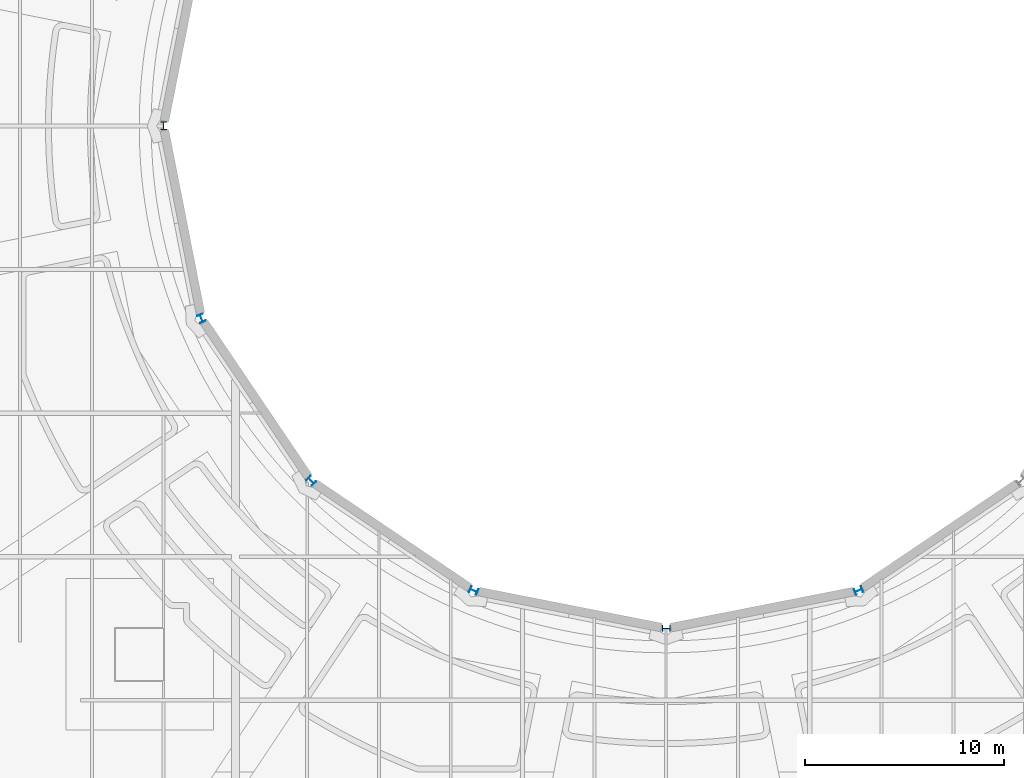
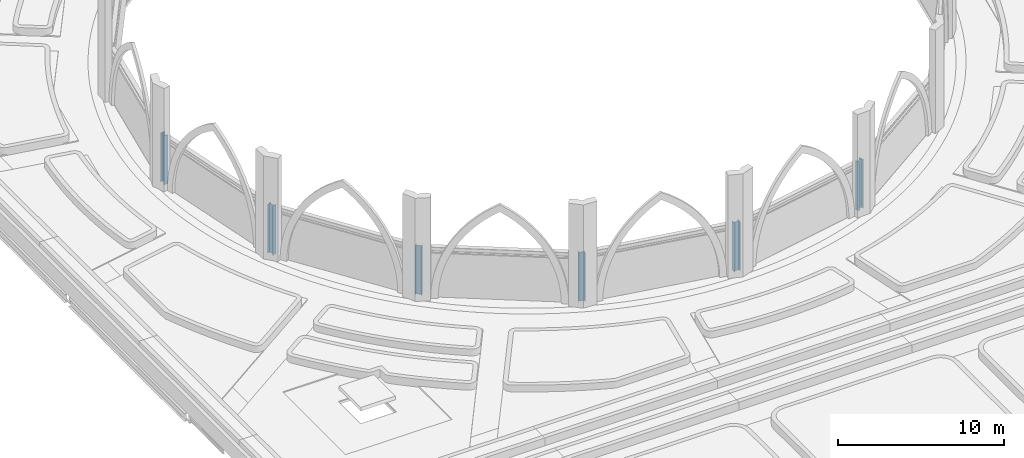
# One storey, part 1 of 110: 6 columns.
"""IFC4 building model written with IfcOpenShell, lengths in metres."""

import ifcopenshell
import ifcopenshell.guid

model = None  # the IFC model being written
_history = None  # IfcOwnerHistory: only IFC2X3 demands one
_inside = {}  # id of a spatial element -> (the spatial element, [elements in it])
_under = {}  # id of a project, library or spatial element -> (it, [spatial elements below it])
_declared = {}  # id of a project -> (the project, [libraries it declares])
_typed = {}  # id of a type object -> (the type object, [elements of that type])
_made_of = {}  # id of a material, layer set ... -> (it, [elements and type objects made of it])


def new_model(schema):
    """Start an empty IFC model of exactly this schema.

    Asked for "IFC4X3", IfcOpenShell would pick the latest addendum, in which some entities
    have other attributes; the version numbers below select the first issue.
    IFC2X3 requires an IfcOwnerHistory on every rooted entity: one is made here for all.
    """
    global model, _history
    if schema == "IFC4X3":
        model = ifcopenshell.file(schema_version=(4, 3, 0, 0))
    else:
        model = ifcopenshell.file(schema=schema)
    _inside.clear()
    _under.clear()
    _declared.clear()
    _typed.clear()
    _made_of.clear()
    _history = None
    if model.schema == "IFC2X3":
        org = make("IfcOrganization", Name="unknown")
        user = make(
            "IfcPersonAndOrganization",
            ThePerson=make("IfcPerson", FamilyName="unknown"),
            TheOrganization=org,
        )
        app = make(
            "IfcApplication",
            ApplicationDeveloper=org,
            Version="unknown",
            ApplicationFullName="unknown",
            ApplicationIdentifier="unknown",
        )
        _history = make(
            "IfcOwnerHistory",
            OwningUser=user,
            OwningApplication=app,
            ChangeAction="ADDED",
            CreationDate=0,
        )
    return model


def make(cls, **values):
    """One entity of the class cls with the attributes given. An attribute that is None is left unset."""
    return model.create_entity(
        cls, **{name: value for name, value in values.items() if value is not None}
    )


def rooted(cls, **values):
    """An entity with a GlobalId (a new one), such as an element, a storey or a relation."""
    return make(cls, GlobalId=ifcopenshell.guid.new(), OwnerHistory=_history, **values)


def si_unit(unit_type, name, prefix=None):
    """IfcSIUnit, for example si_unit("LENGTHUNIT", "METRE", prefix="MILLI")."""
    return make("IfcSIUnit", UnitType=unit_type, Prefix=prefix, Name=name)


def assignment(units):
    """IfcUnitAssignment: the units of a project."""
    return None if units is None else make("IfcUnitAssignment", Units=units)


def point(xyz):
    """IfcCartesianPoint."""
    return None if xyz is None else make("IfcCartesianPoint", Coordinates=xyz)


def direction(xyz):
    """IfcDirection."""
    return None if xyz is None else make("IfcDirection", DirectionRatios=xyz)


def frame(location, z_axis=None, x_axis=None):
    """IfcAxis2Placement3D, a coordinate frame: its origin and axes. An axis left out is left unset."""
    return make(
        "IfcAxis2Placement3D",
        Location=point(location),
        Axis=direction(z_axis),
        RefDirection=direction(x_axis),
    )


def frame_2d(location, x_axis=None):
    """IfcAxis2Placement2D, a coordinate frame in the plane: its origin and x axis."""
    return make(
        "IfcAxis2Placement2D", Location=point(location), RefDirection=direction(x_axis)
    )


def origin():
    """The frame at (0, 0, 0) with its axes left unset."""
    return frame((0.0, 0.0, 0.0))


def origin_2d():
    """The frame at (0, 0) in the plane with its x axis left unset."""
    return frame_2d((0.0, 0.0))


def place(relative_to, where):
    """IfcLocalPlacement: puts the frame where relative to a parent placement (None: the world)."""
    return make(
        "IfcLocalPlacement", PlacementRelTo=relative_to, RelativePlacement=where
    )


def context(
    kind, dimensions, precision=None, world=None, true_north=None, identifier=None
):
    """IfcGeometricRepresentationContext, for example the 3D "Model" context."""
    return make(
        "IfcGeometricRepresentationContext",
        ContextIdentifier=identifier,
        ContextType=kind,
        CoordinateSpaceDimension=dimensions,
        Precision=precision,
        WorldCoordinateSystem=world,
        TrueNorth=true_north,
    )


def subcontext(parent, identifier, kind, view, scale=None):
    """IfcGeometricRepresentationSubContext, for example "Body" below "Model"."""
    return make(
        "IfcGeometricRepresentationSubContext",
        ContextIdentifier=identifier,
        ContextType=kind,
        ParentContext=parent,
        TargetScale=scale,
        TargetView=view,
    )


def project(units=None, contexts=None):
    """IfcProject with its units and contexts."""
    return rooted(
        "IfcProject",
        Name="project",
        RepresentationContexts=contexts,
        UnitsInContext=assignment(units),
    )


def spatial(cls, under=None, at=None, **own):
    """A site, building, storey or space (cls), placed at a placement, below another one or the project."""
    s = rooted(cls, ObjectPlacement=at, **own)
    if under is not None:
        _under.setdefault(under.id(), (under, []))[1].append(s)
    return s


def profile(cls, at=None, kind="AREA", **sizes):
    """A parametric profile (cls). Its sizes go by their IFC names, for example OverallWidth=200.0."""
    return make(cls, ProfileType=kind, Position=at, **sizes)


def i_section(**sizes):
    """IfcIShapeProfileDef."""
    return profile("IfcIShapeProfileDef", **sizes)


def extrude(swept, where, along, depth):
    """IfcExtrudedAreaSolid: the profile swept, set in the frame where, extruded along a direction by depth."""
    return make(
        "IfcExtrudedAreaSolid",
        SweptArea=swept,
        Position=where,
        ExtrudedDirection=direction(along),
        Depth=depth,
    )


def shape(context_of_items, identifier, shape_type, items):
    """IfcShapeRepresentation: the items that make up one representation, for example the "Body"."""
    return make(
        "IfcShapeRepresentation",
        ContextOfItems=context_of_items,
        RepresentationIdentifier=identifier,
        RepresentationType=shape_type,
        Items=items,
    )


def material(Name=None, Category=None):
    """IfcMaterial."""
    return make("IfcMaterial", Name=Name, Category=Category)


def material_profile(
    of_material, cross_section, Name=None, Category=None, Priority=None
):
    """IfcMaterialProfile: a cross section and its material."""
    return make(
        "IfcMaterialProfile",
        Name=Name,
        Material=of_material,
        Profile=cross_section,
        Priority=Priority,
        Category=Category,
    )


def profile_set(profiles, Name=None, composite=None):
    """IfcMaterialProfileSet."""
    return make(
        "IfcMaterialProfileSet",
        Name=Name,
        MaterialProfiles=profiles,
        CompositeProfile=composite,
    )


def made_of(thing, what):
    """Note that an element or type object is made of a material, layer set ...; save() writes the relation."""
    if what is not None:
        _made_of.setdefault(what.id(), (what, []))[1].append(thing)
    return thing


def type_object(cls, material=None, **own):
    """A type object (cls), such as IfcWallType, which elements share."""
    return made_of(rooted(cls, **own), material)


def element(
    cls,
    number,
    at=None,
    inside=None,
    cuts=None,
    type_object=None,
    material=None,
    context=None,
    identifier="Body",
    shape_type=None,
    held_by="IfcProductDefinitionShape",
    body=None,
    shapes=None,
    **own,
):
    """One element of the class cls, such as IfcWall. Its Tag is "e" and its number.

    at: its placement. inside: the storey or other place that contains it. cuts: it is an
    opening in that element (IfcRelVoidsElement). A single representation is given by context,
    identifier, shape_type and body (its items); several are given by shapes. held_by: the class
    of the entity that holds the representations. save() writes the other relations.
    """
    e = rooted(cls, Tag="e%d" % number, ObjectPlacement=at, **own)
    if body is not None:
        shapes = [shape(context, identifier, shape_type, body)]
    if shapes is not None:
        e.Representation = make(held_by, Representations=shapes)
    if inside is not None:
        _inside.setdefault(inside.id(), (inside, []))[1].append(e)
    if cuts is not None:
        rooted(
            "IfcRelVoidsElement", RelatingBuildingElement=cuts, RelatedOpeningElement=e
        )
    if type_object is not None:
        _typed.setdefault(type_object.id(), (type_object, []))[1].append(e)
    return made_of(e, material)


def aggregate(whole, parts):
    """IfcRelAggregates: a whole, such as a stair, and the parts it consists of."""
    return rooted("IfcRelAggregates", RelatingObject=whole, RelatedObjects=parts)


def save(model, path):
    """Write the relations noted so far, then the file.

    IfcRelAggregates (storeys below a building ...), IfcRelContainedInSpatialStructure (elements
    in a storey), IfcRelDefinesByType, IfcRelAssociatesMaterial and IfcRelDeclares: one each for
    every whole, place, type object, material and project.
    """
    for whole, parts in _under.values():
        aggregate(whole, parts)
    for where, things in _inside.values():
        rooted(
            "IfcRelContainedInSpatialStructure",
            RelatedElements=things,
            RelatingStructure=where,
        )
    for kind, things in _typed.values():
        rooted("IfcRelDefinesByType", RelatedObjects=things, RelatingType=kind)
    for what, things in _made_of.values():
        rooted("IfcRelAssociatesMaterial", RelatedObjects=things, RelatingMaterial=what)
    for by, libraries in _declared.values():
        rooted("IfcRelDeclares", RelatingContext=by, RelatedDefinitions=libraries)
    model.write(path)


model = new_model("IFC4")

# Units and contexts
model_context = context("Model", 3, precision=1e-05, world=origin(), true_north=direction((0.0, 1.0)))
body_context = subcontext(model_context, "Body", "Model", "MODEL_VIEW")
ifc_project = project(units=[si_unit("LENGTHUNIT", "METRE"), si_unit("AREAUNIT", "SQUARE_METRE"), si_unit("VOLUMEUNIT", "CUBIC_METRE"), si_unit("PLANEANGLEUNIT", "RADIAN"), si_unit("MASSUNIT", "GRAM", prefix="KILO")], contexts=[model_context])

# Site, building, storey
site_placement = place(None, origin())
site = spatial("IfcSite", under=ifc_project, at=site_placement, CompositionType="ELEMENT")
building_placement = place(site_placement, origin())
building = spatial("IfcBuilding", under=site, at=building_placement, Name="Kupolbacken Congress Centre", CompositionType="ELEMENT")
storey_placement = place(building_placement, frame((0.0, 0.0, 18.0)))
storey = spatial("IfcBuildingStorey", under=building, at=storey_placement, Name="L05", CompositionType="ELEMENT", Elevation=18.0)

# Columns
ifc_material = material(Name="Steel S355", Category="steel")
ifc_material_profile = material_profile(ifc_material, i_section(OverallWidth=0.300048828125, OverallDepth=0.39990234375, WebThickness=0.013427734375, FlangeThickness=0.02392578125, FilletRadius=0.027099609375, at=origin_2d()), Name="HEB 400")
ifc_profile_set = profile_set([ifc_material_profile], Name="Steel S355")
column_type = type_object("IfcColumnType", Name="C08 column HEB 400", PredefinedType="COLUMN", material=ifc_profile_set)
for number, where, z_axis, x_axis, name in (
    (1, (18.0, 86.39990234375, 0.0), (0.0, 0.0, 1.0), (-1.0, 0.0, 0.0), "S/col/C-D09/L05"),
    (2, (19.89990234375, 76.75, 0.0), (0.0, 0.0, 1.0), (-0.923896018243, -0.382643629864, 0.0), "S/col/C-D10/L05"),
    (3, (25.39990234375, 68.60009765625, 0.0), (0.0, 0.0, 1.0), (-0.707106781187, -0.707106781187, 0.0), "S/col/C-D11/L05"),
    (4, (33.550048828125, 63.10009765625, 0.0), (0.0, 0.0, 1.0), (-0.382643629864, -0.923896018243, 0.0), "S/col/C-D12/L05"),
    (5, (43.199951171875, 61.199951171875, 0.0), (0.0, 0.0, 1.0), (0.0, -1.0, 0.0), "S/col/C-D13/L05"),
    (6, (52.85009765625, 63.10009765625, 0.0), (0.0, 0.0, 1.0), (0.382643629864, -0.923896018243, 0.0), "S/col/C-D14/L05"),
):
    element("IfcColumn", number, at=place(storey_placement, frame(where, z_axis=z_axis, x_axis=x_axis)), inside=storey, type_object=column_type, Name=name, PredefinedType="COLUMN", context=body_context, shape_type="SweptSolid", body=[
        extrude(i_section(OverallWidth=0.300048828125, OverallDepth=0.39990234375, WebThickness=0.013427734375, FlangeThickness=0.02392578125, FilletRadius=0.027099609375, at=origin_2d()), origin(), (0.0, 0.0, 1.0), 3.60009765625),
    ])

save(model, "model.ifc")
